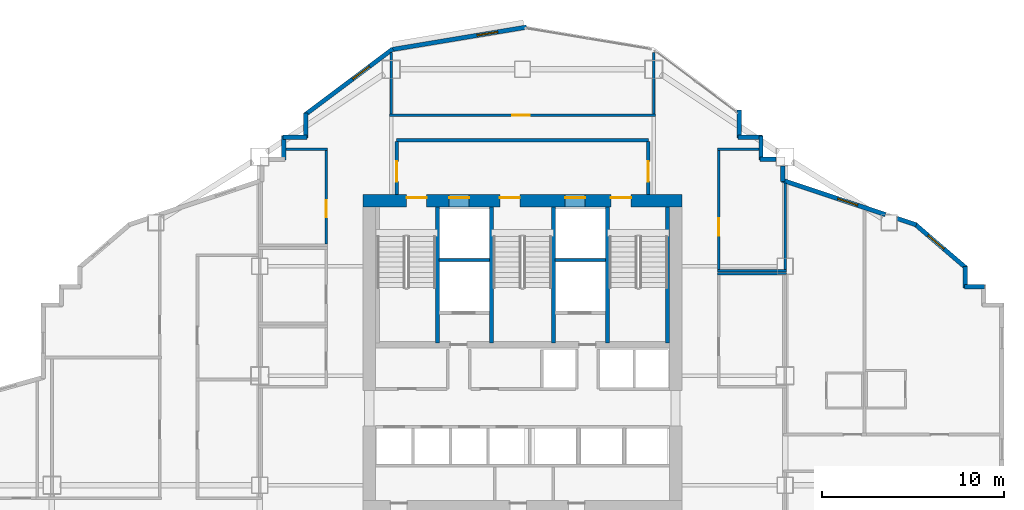
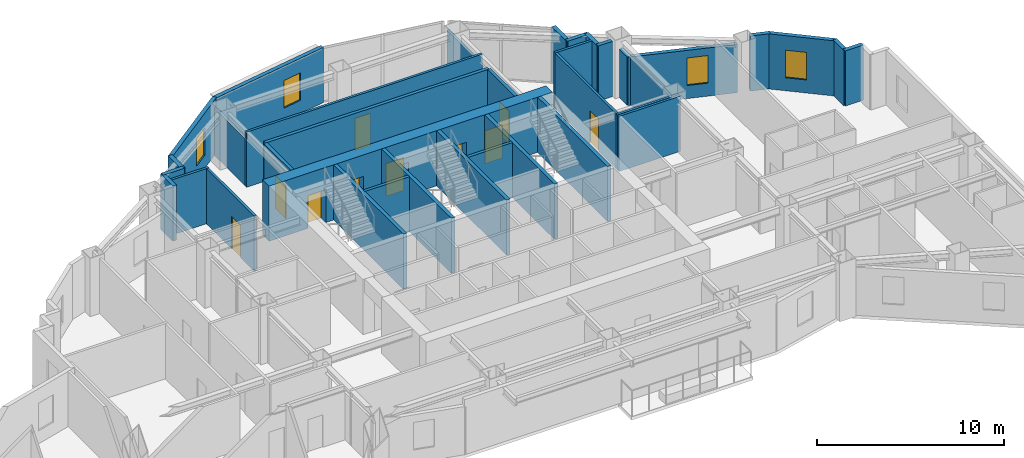
# One storey, part 11 of 14: 36 walls, 10 doors, 4 windows, 14 openings.
"""IFC4 building model written with IfcOpenShell, lengths in metres."""

from ifc_helpers import new_model, si_unit, direction, frame, frame_2d, origin, place, context, subcontext, project, spatial, rectangle, extrude, material, layer, layer_set, type_object, element, fill, save


model = new_model("IFC4")

# Units and contexts
model_context = context("Model", 3, precision=1e-05, world=origin(), true_north=direction((0.0, 1.0)))
body_context = subcontext(model_context, "Body", "Model", "MODEL_VIEW")
ifc_project = project(units=[si_unit("LENGTHUNIT", "METRE"), si_unit("AREAUNIT", "SQUARE_METRE"), si_unit("VOLUMEUNIT", "CUBIC_METRE"), si_unit("PLANEANGLEUNIT", "RADIAN"), si_unit("MASSUNIT", "GRAM", prefix="KILO")], contexts=[model_context])

# Site, building, storey
site_placement = place(None, origin())
site = spatial("IfcSite", under=ifc_project, at=site_placement, CompositionType="ELEMENT")
building_placement = place(site_placement, origin())
building = spatial("IfcBuilding", under=site, at=building_placement, Name="Haolan Belvedere Tower", CompositionType="ELEMENT")
storey_placement = place(building_placement, frame((0.0, 0.0, 141.0)))
storey = spatial("IfcBuildingStorey", under=building, at=storey_placement, Name="L35", CompositionType="ELEMENT", Elevation=141.0)

# Wall, openings, doors
ifc_material_1 = material(Name="Concrete C60/75", Category="concrete")
ifc_layer_1 = layer(ifc_material_1, 0.699951171875, Name="Concrete C60/75")
ifc_layer_set_1 = layer_set([ifc_layer_1], Name="Concrete C60/75")
wall_type_1 = type_object("IfcWallType", Name="WL-CORE-700", PredefinedType="SHEAR", material=ifc_layer_set_1)
wall_1_placement = place(storey_placement, frame((29.64990234375, 43.199951171875, 0.0), z_axis=(0.0, 0.0, 1.0), x_axis=(1.0, 0.0, 0.0)))
wall_1 = element("IfcWall", 1, at=wall_1_placement, inside=storey, type_object=wall_type_1, Name="L35 central core north shear wall", PredefinedType="SHEAR", context=body_context, shape_type="SweptSolid", body=[
    extrude(rectangle(XDim=17.5, YDim=0.699951171875, at=frame_2d((8.75, 0.0))), origin(), (0.0, 0.0, 1.0), 3.60009765625),
])
opening_1_placement = place(wall_1_placement, frame((2.39990234375, 0.0, 0.0)))
opening_1 = element("IfcOpeningElement", 2, at=opening_1_placement, cuts=wall_1, Name="Opening FD-03", PredefinedType="OPENING", context=body_context, shape_type="SweptSolid", body=[
    extrude(rectangle(XDim=1.10009765625, YDim=2.14990234375, at=frame_2d((0.550048828125, 1.074951171875))), frame((0.0, 0.35986328125, 0.0), z_axis=(0.0, -1.0, 0.0), x_axis=(1.0, 0.0, 0.0)), (0.0, 0.0, 1.0), 0.719970703125),
])
opening_2_placement = place(wall_1_placement, frame((7.510009765625, 0.0, 0.0)))
opening_2 = element("IfcOpeningElement", 3, at=opening_2_placement, cuts=wall_1, Name="Opening FD-03", PredefinedType="OPENING", context=body_context, shape_type="SweptSolid", body=[
    extrude(rectangle(XDim=1.10009765625, YDim=2.14990234375, at=frame_2d((0.550048828125, 1.074951171875))), frame((0.0, 0.35986328125, 0.0), z_axis=(0.0, -1.0, 0.0), x_axis=(1.0, 0.0, 0.0)), (0.0, 0.0, 1.0), 0.719970703125),
])
opening_3_placement = place(wall_1_placement, frame((13.60009765625, 0.0, 0.0)))
opening_3 = element("IfcOpeningElement", 4, at=opening_3_placement, cuts=wall_1, Name="Opening FD-03", PredefinedType="OPENING", context=body_context, shape_type="SweptSolid", body=[
    extrude(rectangle(XDim=1.10009765625, YDim=2.14990234375, at=frame_2d((0.550048828125, 1.074951171875))), frame((0.0, 0.35986328125, 0.0), z_axis=(0.0, -1.0, 0.0), x_axis=(1.0, 0.0, 0.0)), (0.0, 0.0, 1.0), 0.719970703125),
])
opening_4_placement = place(wall_1_placement, frame((4.72998046875, 0.0, 0.0)))
opening_4 = element("IfcOpeningElement", 5, at=opening_4_placement, cuts=wall_1, Name="Opening LD-01", PredefinedType="OPENING", context=body_context, shape_type="SweptSolid", body=[
    extrude(rectangle(XDim=1.10009765625, YDim=2.199951171875, at=frame_2d((0.550048828125, 1.10009765625))), frame((0.0, 0.35986328125, 0.0), z_axis=(0.0, -1.0, 0.0), x_axis=(1.0, 0.0, 0.0)), (0.0, 0.0, 1.0), 0.719970703125),
])
opening_5_placement = place(wall_1_placement, frame((11.090087890625, 0.0, 0.0)))
opening_5 = element("IfcOpeningElement", 6, at=opening_5_placement, cuts=wall_1, Name="Opening LD-01", PredefinedType="OPENING", context=body_context, shape_type="SweptSolid", body=[
    extrude(rectangle(XDim=1.10009765625, YDim=2.199951171875, at=frame_2d((0.550048828125, 1.10009765625))), frame((0.0, 0.35986328125, 0.0), z_axis=(0.0, -1.0, 0.0), x_axis=(1.0, 0.0, 0.0)), (0.0, 0.0, 1.0), 0.719970703125),
])
ifc_material_2 = material(Name="Galvanised fire-rated steel", Category="steel")
door_type_1 = type_object("IfcDoorType", Name="DR-FD90-1100", OperationType="NOTDEFINED", PredefinedType="DOOR", material=ifc_material_2)
door_1_placement = place(opening_1_placement, origin())
door_1 = element("IfcDoor", 7, at=door_1_placement, inside=storey, type_object=door_type_1, Name="L35 door CD-L35-ST1", OperationType="SINGLE_SWING_LEFT", OverallHeight=2.14990234375, OverallWidth=1.10009765625, PredefinedType="DOOR", context=body_context, shape_type="SweptSolid", body=[
    extrude(rectangle(XDim=1.10009765625, YDim=2.14990234375, at=frame_2d((0.550048828125, 1.074951171875))), frame((0.0, 0.18505859375, 0.0), z_axis=(0.0, -1.0, 0.0), x_axis=(1.0, 0.0, 0.0)), (0.0, 0.0, 1.0), 0.050048828125),
])
fill(opening_1, door_1)
door_2_placement = place(opening_2_placement, origin())
door_2 = element("IfcDoor", 8, at=door_2_placement, inside=storey, type_object=door_type_1, Name="L35 door CD-L35-ST3", OperationType="SINGLE_SWING_LEFT", OverallHeight=2.14990234375, OverallWidth=1.10009765625, PredefinedType="DOOR", context=body_context, shape_type="SweptSolid", body=[
    extrude(rectangle(XDim=1.10009765625, YDim=2.14990234375, at=frame_2d((0.550048828125, 1.074951171875))), frame((0.0, 0.18505859375, 0.0), z_axis=(0.0, -1.0, 0.0), x_axis=(1.0, 0.0, 0.0)), (0.0, 0.0, 1.0), 0.050048828125),
])
fill(opening_2, door_2)
door_3_placement = place(opening_3_placement, origin())
door_3 = element("IfcDoor", 9, at=door_3_placement, inside=storey, type_object=door_type_1, Name="L35 door CD-L35-ST2", OperationType="SINGLE_SWING_RIGHT", OverallHeight=2.14990234375, OverallWidth=1.10009765625, PredefinedType="DOOR", context=body_context, shape_type="SweptSolid", body=[
    extrude(rectangle(XDim=1.10009765625, YDim=2.14990234375, at=frame_2d((0.550048828125, 1.074951171875))), frame((0.0, 0.18505859375, 0.0), z_axis=(0.0, -1.0, 0.0), x_axis=(1.0, 0.0, 0.0)), (0.0, 0.0, 1.0), 0.050048828125),
])
fill(opening_3, door_3)
ifc_material_3 = material(Name="Brushed champagne stainless steel 316L", Category="steel")
door_type_2 = type_object("IfcDoorType", Name="DR-LIFT-1100", OperationType="SLIDING_TO_LEFT", PredefinedType="DOOR", material=ifc_material_3)
door_4_placement = place(opening_4_placement, origin())
door_4 = element("IfcDoor", 10, at=door_4_placement, inside=storey, type_object=door_type_2, Name="L35 door LD-L35-FF1", OperationType="SLIDING_TO_LEFT", OverallHeight=2.199951171875, OverallWidth=1.10009765625, PredefinedType="DOOR", context=body_context, shape_type="SweptSolid", body=[
    extrude(rectangle(XDim=1.10009765625, YDim=2.199951171875, at=frame_2d((0.550048828125, 1.10009765625))), frame((0.0, 0.18505859375, 0.0), z_axis=(0.0, -1.0, 0.0), x_axis=(1.0, 0.0, 0.0)), (0.0, 0.0, 1.0), 0.050048828125),
])
fill(opening_4, door_4)
door_5_placement = place(opening_5_placement, origin())
door_5 = element("IfcDoor", 11, at=door_5_placement, inside=storey, type_object=door_type_2, Name="L35 door LD-L35-FF2", OperationType="SLIDING_TO_LEFT", OverallHeight=2.199951171875, OverallWidth=1.10009765625, PredefinedType="DOOR", context=body_context, shape_type="SweptSolid", body=[
    extrude(rectangle(XDim=1.10009765625, YDim=2.199951171875, at=frame_2d((0.550048828125, 1.10009765625))), frame((0.0, 0.18505859375, 0.0), z_axis=(0.0, -1.0, 0.0), x_axis=(1.0, 0.0, 0.0)), (0.0, 0.0, 1.0), 0.050048828125),
])
fill(opening_5, door_5)

# Walls
ifc_material_4 = material(Name="Precast concrete C40/50", Category="concrete")
ifc_layer_2 = layer(ifc_material_4, 0.239990234375, Name="Precast concrete C40/50")
ifc_layer_set_2 = layer_set([ifc_layer_2], Name="Precast concrete C40/50")
wall_type_2 = type_object("IfcWallType", Name="WL-EXT-240", PredefinedType="SOLIDWALL", material=ifc_layer_set_2)
wall_2_placement = place(storey_placement, frame((63.735107421875, 38.47998046875, 0.0), z_axis=(0.0, 0.0, 1.0), x_axis=(-1.0, 0.0, 0.0)))
element("IfcWall", 12, at=wall_2_placement, inside=storey, type_object=wall_type_2, Name="L35 pale-metal exterior spandrel wall 17.1", PredefinedType="SOLIDWALL", context=body_context, shape_type="SweptSolid", body=[
    extrude(rectangle(XDim=1.110107421875, YDim=0.239990234375, at=frame_2d((0.55517578125, 0.0))), origin(), (0.0, 0.0, 1.0), 3.60009765625),
])
wall_3_placement = place(storey_placement, frame((62.679931640625, 38.425048828125, 0.0), z_axis=(0.0, 0.0, 1.0), x_axis=(0.0, 1.0, 0.0)))
element("IfcWall", 13, at=wall_3_placement, inside=storey, type_object=wall_type_2, Name="L35 pale-metal exterior spandrel wall 18.1", PredefinedType="SOLIDWALL", context=body_context, shape_type="SweptSolid", body=[
    extrude(rectangle(XDim=1.1748046875, YDim=0.239990234375, at=frame_2d((0.58740234375, 0.0))), origin(), (0.0, 0.0, 1.0), 3.60009765625),
])

# Wall, opening, window
wall_4_placement = place(storey_placement, frame((62.7216796875, 39.509033203125, 0.0), z_axis=(0.0, 0.0, 1.0), x_axis=(-0.759247334792, 0.650802185469, 0.0)))
wall_4 = element("IfcWall", 14, at=wall_4_placement, inside=storey, type_object=wall_type_2, Name="L35 pale-metal exterior spandrel wall 19.1", PredefinedType="SOLIDWALL", context=body_context, shape_type="SweptSolid", body=[
    extrude(rectangle(XDim=3.71923828125, YDim=0.239990234375, at=frame_2d((1.859619140625, 0.0))), origin(), (0.0, 0.0, 1.0), 3.60009765625),
])
opening_6_placement = place(wall_4_placement, frame((1.60009765625, 0.0, 0.85009765625)))
opening_6 = element("IfcOpeningElement", 15, at=opening_6_placement, cuts=wall_4, Name="Opening W-02", PredefinedType="OPENING", context=body_context, shape_type="SweptSolid", body=[
    extrude(rectangle(XDim=1.14990234375, YDim=1.800048828125, at=frame_2d((0.574951171875, 0.89990234375))), frame((0.0, 0.1298828125, 0.0), z_axis=(0.0, -1.0, 0.0), x_axis=(1.0, 0.0, 0.0)), (0.0, 0.0, 1.0), 0.260009765625),
])
ifc_material_5 = material(Name="Anodised aluminium 6063-T6 and Low-E glass", Category="aluminium")
window_type = type_object("IfcWindowType", Name="WN-DECO-Z2", PartitioningType="SINGLE_PANEL", PredefinedType="WINDOW", material=ifc_material_5)
window_1_placement = place(opening_6_placement, origin())
window_1 = element("IfcWindow", 16, at=window_1_placement, inside=storey, type_object=window_type, Name="L35 Art Deco chevron window 1", OverallHeight=1.800048828125, OverallWidth=1.14990234375, PartitioningType="SINGLE_PANEL", PredefinedType="WINDOW", context=body_context, shape_type="SweptSolid", body=[
    extrude(rectangle(XDim=1.14990234375, YDim=1.800048828125, at=frame_2d((0.574951171875, 0.89990234375))), frame((0.0, 0.030029296875, 0.0), z_axis=(0.0, -1.0, 0.0), x_axis=(1.0, 0.0, 0.0)), (0.0, 0.0, 1.0), 0.06005859375),
])
fill(opening_6, window_1)

# Wall
wall_5_placement = place(storey_placement, frame((59.991943359375, 41.876220703125, 0.0), z_axis=(0.0, 0.0, 1.0), x_axis=(-0.948661238983, 0.316293935527, 0.0)))
element("IfcWall", 17, at=wall_5_placement, inside=storey, type_object=wall_type_2, Name="L35 pale-metal exterior spandrel wall 20.1", PredefinedType="SOLIDWALL", context=body_context, shape_type="SweptSolid", body=[
    extrude(rectangle(XDim=1.10693359375, YDim=0.239990234375, at=frame_2d((0.553466796875, 0.0))), origin(), (0.0, 0.0, 1.0), 3.60009765625),
])

# Wall, opening, window
wall_6_placement = place(storey_placement, frame((58.294677734375, 42.44189453125, 0.0), z_axis=(0.0, 0.0, 1.0), x_axis=(-0.948687385027, 0.316215504823, 0.0)))
wall_6 = element("IfcWall", 18, at=wall_6_placement, inside=storey, type_object=wall_type_2, Name="L35 pale-metal exterior spandrel wall 20.2", PredefinedType="SOLIDWALL", context=body_context, shape_type="SweptSolid", body=[
    extrude(rectangle(XDim=5.973388671875, YDim=0.239990234375, at=frame_2d((2.98681640625, 0.0))), origin(), (0.0, 0.0, 1.0), 3.14501953125),
])
opening_7_placement = place(wall_6_placement, frame((1.60009765625, 0.0, 0.85009765625)))
opening_7 = element("IfcOpeningElement", 19, at=opening_7_placement, cuts=wall_6, Name="Opening W-02", PredefinedType="OPENING", context=body_context, shape_type="SweptSolid", body=[
    extrude(rectangle(XDim=1.14990234375, YDim=1.800048828125, at=frame_2d((0.574951171875, 0.89990234375))), frame((0.0, 0.1298828125, 0.0), z_axis=(0.0, -1.0, 0.0), x_axis=(1.0, 0.0, 0.0)), (0.0, 0.0, 1.0), 0.260009765625),
])
window_2_placement = place(opening_7_placement, origin())
window_2 = element("IfcWindow", 20, at=window_2_placement, inside=storey, type_object=window_type, Name="L35 Art Deco chevron window 1", OverallHeight=1.800048828125, OverallWidth=1.14990234375, PartitioningType="SINGLE_PANEL", PredefinedType="WINDOW", context=body_context, shape_type="SweptSolid", body=[
    extrude(rectangle(XDim=1.14990234375, YDim=1.800048828125, at=frame_2d((0.574951171875, 0.89990234375))), frame((0.0, 0.030029296875, 0.0), z_axis=(0.0, -1.0, 0.0), x_axis=(1.0, 0.0, 0.0)), (0.0, 0.0, 1.0), 0.06005859375),
])
fill(opening_7, window_2)

# Walls
wall_7_placement = place(storey_placement, frame((52.679931640625, 44.258544921875, 0.0), z_axis=(0.0, 0.0, 1.0), x_axis=(0.0, 1.0, 0.0)))
element("IfcWall", 21, at=wall_7_placement, inside=storey, type_object=wall_type_2, Name="L35 pale-metal exterior spandrel wall 21.1", PredefinedType="SOLIDWALL", context=body_context, shape_type="SweptSolid", body=[
    extrude(rectangle(XDim=0.849365234375, YDim=0.239990234375, at=frame_2d((0.4248046875, 0.0))), origin(), (0.0, 0.0, 1.0), 3.14501953125),
])
wall_8_placement = place(storey_placement, frame((52.30810546875, 45.47998046875, 0.0), z_axis=(0.0, 0.0, 1.0), x_axis=(-1.0, 0.0, 0.0)))
element("IfcWall", 22, at=wall_8_placement, inside=storey, type_object=wall_type_2, Name="L35 pale-metal exterior spandrel wall 22.1", PredefinedType="SOLIDWALL", context=body_context, shape_type="SweptSolid", body=[
    extrude(rectangle(XDim=0.883056640625, YDim=0.239990234375, at=frame_2d((0.44140625, 0.0))), origin(), (0.0, 0.0, 1.0), 3.60009765625),
])
wall_9_placement = place(storey_placement, frame((51.47998046875, 45.425048828125, 0.0), z_axis=(0.0, 0.0, 1.0), x_axis=(0.0, 1.0, 0.0)))
element("IfcWall", 23, at=wall_9_placement, inside=storey, type_object=wall_type_2, Name="L35 pale-metal exterior spandrel wall 23.1", PredefinedType="SOLIDWALL", context=body_context, shape_type="SweptSolid", body=[
    extrude(rectangle(XDim=1.31005859375, YDim=0.239990234375, at=frame_2d((0.655029296875, 0.0))), origin(), (0.0, 0.0, 1.0), 3.60009765625),
])
wall_10_placement = place(storey_placement, frame((51.534912109375, 46.679931640625, 0.0), z_axis=(0.0, 0.0, 1.0), x_axis=(-1.0, 0.0, 0.0)))
element("IfcWall", 24, at=wall_10_placement, inside=storey, type_object=wall_type_2, Name="L35 pale-metal exterior spandrel wall 24.1", PredefinedType="SOLIDWALL", context=body_context, shape_type="SweptSolid", body=[
    extrude(rectangle(XDim=1.309814453125, YDim=0.239990234375, at=frame_2d((0.65478515625, 0.0))), origin(), (0.0, 0.0, 1.0), 3.60009765625),
])
wall_11_placement = place(storey_placement, frame((50.280029296875, 46.625, 0.0), z_axis=(0.0, 0.0, 1.0), x_axis=(0.0, 1.0, 0.0)))
element("IfcWall", 25, at=wall_11_placement, inside=storey, type_object=wall_type_2, Name="L35 pale-metal exterior spandrel wall 25.1", PredefinedType="SOLIDWALL", context=body_context, shape_type="SweptSolid", body=[
    extrude(rectangle(XDim=1.5400390625, YDim=0.239990234375, at=frame_2d((0.77001953125, 0.0))), origin(), (0.0, 0.0, 1.0), 3.60009765625),
])

# Wall, opening, window
wall_12_placement = place(storey_placement, frame((38.621826171875, 52.71533203125, 0.0), z_axis=(0.0, 0.0, 1.0), x_axis=(-0.98639129485, -0.164414760418, 0.0)))
wall_12 = element("IfcWall", 26, at=wall_12_placement, inside=storey, type_object=wall_type_2, Name="L35 pale-metal exterior spandrel wall 28.1", PredefinedType="SOLIDWALL", context=body_context, shape_type="SweptSolid", body=[
    extrude(rectangle(XDim=7.530029296875, YDim=0.239990234375, at=frame_2d((3.76513671875, 0.0))), origin(), (0.0, 0.0, 1.0), 3.60009765625),
])
opening_8_placement = place(wall_12_placement, frame((1.60009765625, 0.0, 0.85009765625)))
opening_8 = element("IfcOpeningElement", 27, at=opening_8_placement, cuts=wall_12, Name="Opening W-02", PredefinedType="OPENING", context=body_context, shape_type="SweptSolid", body=[
    extrude(rectangle(XDim=1.14990234375, YDim=1.800048828125, at=frame_2d((0.574951171875, 0.89990234375))), frame((0.0, 0.1298828125, 0.0), z_axis=(0.0, -1.0, 0.0), x_axis=(1.0, 0.0, 0.0)), (0.0, 0.0, 1.0), 0.260009765625),
])
window_3_placement = place(opening_8_placement, origin())
window_3 = element("IfcWindow", 28, at=window_3_placement, inside=storey, type_object=window_type, Name="L35 Art Deco chevron window 1", OverallHeight=1.800048828125, OverallWidth=1.14990234375, PartitioningType="SINGLE_PANEL", PredefinedType="WINDOW", context=body_context, shape_type="SweptSolid", body=[
    extrude(rectangle(XDim=1.14990234375, YDim=1.800048828125, at=frame_2d((0.574951171875, 0.89990234375))), frame((0.0, 0.030029296875, 0.0), z_axis=(0.0, -1.0, 0.0), x_axis=(1.0, 0.0, 0.0)), (0.0, 0.0, 1.0), 0.06005859375),
])
fill(opening_8, window_3)

wall_13_placement = place(storey_placement, frame((31.29248046875, 51.519287109375, 0.0), z_axis=(0.0, 0.0, 1.0), x_axis=(-0.8, -0.6, 0.0)))
wall_13 = element("IfcWall", 29, at=wall_13_placement, inside=storey, type_object=wall_type_2, Name="L35 pale-metal exterior spandrel wall 29.1", PredefinedType="SOLIDWALL", context=body_context, shape_type="SweptSolid", body=[
    extrude(rectangle(XDim=6.0205078125, YDim=0.239990234375, at=frame_2d((3.01025390625, 0.0))), origin(), (0.0, 0.0, 1.0), 3.60009765625),
])
opening_9_placement = place(wall_13_placement, frame((1.60009765625, 0.0, 0.85009765625)))
opening_9 = element("IfcOpeningElement", 30, at=opening_9_placement, cuts=wall_13, Name="Opening W-02", PredefinedType="OPENING", context=body_context, shape_type="SweptSolid", body=[
    extrude(rectangle(XDim=1.14990234375, YDim=1.800048828125, at=frame_2d((0.574951171875, 0.89990234375))), frame((0.0, 0.1298828125, 0.0), z_axis=(0.0, -1.0, 0.0), x_axis=(1.0, 0.0, 0.0)), (0.0, 0.0, 1.0), 0.260009765625),
])
window_4_placement = place(opening_9_placement, origin())
window_4 = element("IfcWindow", 31, at=window_4_placement, inside=storey, type_object=window_type, Name="L35 Art Deco chevron window 1", OverallHeight=1.800048828125, OverallWidth=1.14990234375, PartitioningType="SINGLE_PANEL", PredefinedType="WINDOW", context=body_context, shape_type="SweptSolid", body=[
    extrude(rectangle(XDim=1.14990234375, YDim=1.800048828125, at=frame_2d((0.574951171875, 0.89990234375))), frame((0.0, 0.030029296875, 0.0), z_axis=(0.0, -1.0, 0.0), x_axis=(1.0, 0.0, 0.0)), (0.0, 0.0, 1.0), 0.06005859375),
])
fill(opening_9, window_4)

# Walls
wall_14_placement = place(storey_placement, frame((26.52001953125, 47.9951171875, 0.0), z_axis=(0.0, 0.0, 1.0), x_axis=(0.0, -1.0, 0.0)))
element("IfcWall", 32, at=wall_14_placement, inside=storey, type_object=wall_type_2, Name="L35 pale-metal exterior spandrel wall 30.1", PredefinedType="SOLIDWALL", context=body_context, shape_type="SweptSolid", body=[
    extrude(rectangle(XDim=1.3701171875, YDim=0.239990234375, at=frame_2d((0.68505859375, 0.0))), origin(), (0.0, 0.0, 1.0), 3.60009765625),
])
for number, where, z_axis, x_axis, name in (
    (33, (26.574951171875, 46.679931640625, 0.0), (0.0, 0.0, 1.0), (-1.0, 0.0, 0.0), "L35 pale-metal exterior spandrel wall 31.1"),
    (34, (25.320068359375, 46.735107421875, 0.0), (0.0, 0.0, 1.0), (0.0, -1.0, 0.0), "L35 pale-metal exterior spandrel wall 32.1"),
):
    element("IfcWall", number, at=place(storey_placement, frame(where, z_axis=z_axis, x_axis=x_axis)), inside=storey, type_object=wall_type_2, Name=name, PredefinedType="SOLIDWALL", context=body_context, shape_type="SweptSolid", body=[
        extrude(rectangle(XDim=1.31005859375, YDim=0.239990234375, at=frame_2d((0.655029296875, 0.0))), origin(), (0.0, 0.0, 1.0), 3.60009765625),
    ])
ifc_material_6 = material(Name="Concrete C40/50", Category="concrete")
ifc_layer_3 = layer(ifc_material_6, 0.199951171875, Name="Concrete C40/50")
ifc_layer_set_3 = layer_set([ifc_layer_3], Name="Concrete C40/50")
wall_type_3 = type_object("IfcWallType", Name="WL-FIRE-200", PredefinedType="SOLIDWALL", material=ifc_layer_set_3)
wall_15_placement = place(storey_placement, frame((31.5, 46.52001953125, 0.0), z_axis=(0.0, 0.0, 1.0), x_axis=(1.0, 0.0, 0.0)))
element("IfcWall", 35, at=wall_15_placement, inside=storey, type_object=wall_type_3, Name="L35 interior partition IW-L35-FFL-N", PredefinedType="SOLIDWALL", context=body_context, shape_type="SweptSolid", body=[
    extrude(rectangle(XDim=13.800048828125, YDim=0.199951171875, at=frame_2d((6.89990234375, 0.0))), origin(), (0.0, 0.0, 1.0), 3.60009765625),
])

# Wall, opening, door
wall_16_placement = place(storey_placement, frame((31.5, 43.550048828125, 0.0), z_axis=(0.0, 0.0, 1.0), x_axis=(0.0, 1.0, 0.0)))
wall_16 = element("IfcWall", 36, at=wall_16_placement, inside=storey, type_object=wall_type_3, Name="L35 interior partition IW-L35-FFL-W", PredefinedType="SOLIDWALL", context=body_context, shape_type="SweptSolid", body=[
    extrude(rectangle(XDim=2.885009765625, YDim=0.199951171875, at=frame_2d((1.4423828125, 0.0))), origin(), (0.0, 0.0, 1.0), 3.60009765625),
])
opening_10_placement = place(wall_16_placement, frame((1.800048828125, 0.0, 0.0), z_axis=(0.0, 0.0, 1.0), x_axis=(-1.0, 0.0, 0.0)))
opening_10 = element("IfcOpeningElement", 37, at=opening_10_placement, cuts=wall_16, Name="Opening FD-03", PredefinedType="OPENING", context=body_context, shape_type="SweptSolid", body=[
    extrude(rectangle(XDim=1.10009765625, YDim=2.14990234375, at=frame_2d((0.550048828125, 1.074951171875))), frame((0.0, 0.10986328125, 0.0), z_axis=(0.0, -1.0, 0.0), x_axis=(1.0, 0.0, 0.0)), (0.0, 0.0, 1.0), 0.219970703125),
])
door_6_placement = place(opening_10_placement, origin())
door_6 = element("IfcDoor", 38, at=door_6_placement, inside=storey, type_object=door_type_1, Name="L35 door ID-L35-FFL-DW", OperationType="SINGLE_SWING_LEFT", OverallHeight=2.14990234375, OverallWidth=1.10009765625, PredefinedType="DOOR", context=body_context, shape_type="SweptSolid", body=[
    extrude(rectangle(XDim=1.10009765625, YDim=2.14990234375, at=frame_2d((0.550048828125, 1.074951171875))), frame((0.0, 0.02490234375, 0.0), z_axis=(0.0, -1.0, 0.0), x_axis=(1.0, 0.0, 0.0)), (0.0, 0.0, 1.0), 0.050048828125),
])
fill(opening_10, door_6)

wall_17_placement = place(storey_placement, frame((45.300048828125, 43.550048828125, 0.0), z_axis=(0.0, 0.0, 1.0), x_axis=(0.0, 1.0, 0.0)))
wall_17 = element("IfcWall", 39, at=wall_17_placement, inside=storey, type_object=wall_type_3, Name="L35 interior partition IW-L35-FFL-E", PredefinedType="SOLIDWALL", context=body_context, shape_type="SweptSolid", body=[
    extrude(rectangle(XDim=2.885009765625, YDim=0.199951171875, at=frame_2d((1.4423828125, 0.0))), origin(), (0.0, 0.0, 1.0), 3.60009765625),
])
opening_11_placement = place(wall_17_placement, frame((0.699951171875, 0.0, 0.0)))
opening_11 = element("IfcOpeningElement", 40, at=opening_11_placement, cuts=wall_17, Name="Opening FD-03", PredefinedType="OPENING", context=body_context, shape_type="SweptSolid", body=[
    extrude(rectangle(XDim=1.10009765625, YDim=2.14990234375, at=frame_2d((0.550048828125, 1.074951171875))), frame((0.0, 0.10986328125, 0.0), z_axis=(0.0, -1.0, 0.0), x_axis=(1.0, 0.0, 0.0)), (0.0, 0.0, 1.0), 0.219970703125),
])
door_7_placement = place(opening_11_placement, origin())
door_7 = element("IfcDoor", 41, at=door_7_placement, inside=storey, type_object=door_type_1, Name="L35 door ID-L35-FFL-DE", OperationType="SINGLE_SWING_RIGHT", OverallHeight=2.14990234375, OverallWidth=1.10009765625, PredefinedType="DOOR", context=body_context, shape_type="SweptSolid", body=[
    extrude(rectangle(XDim=1.10009765625, YDim=2.14990234375, at=frame_2d((0.550048828125, 1.074951171875))), frame((0.0, 0.02490234375, 0.0), z_axis=(0.0, -1.0, 0.0), x_axis=(1.0, 0.0, 0.0)), (0.0, 0.0, 1.0), 0.050048828125),
])
fill(opening_11, door_7)

# Wall
ifc_material_7 = material(Name="Double gypsum acoustic stud partition", Category="masonry")
ifc_layer_4 = layer(ifc_material_7, 0.14990234375, Name="Double gypsum acoustic stud partition")
ifc_layer_set_4 = layer_set([ifc_layer_4], Name="Double gypsum acoustic stud partition")
wall_type_4 = type_object("IfcWallType", Name="WL-PART-150", PredefinedType="PARTITIONING", material=ifc_layer_set_4)
wall_18_placement = place(storey_placement, frame((25.425048828125, 46.02001953125, 0.0), z_axis=(0.0, 0.0, 1.0), x_axis=(1.0, 0.0, 0.0)))
element("IfcWall", 42, at=wall_18_placement, inside=storey, type_object=wall_type_4, Name="L35 interior partition IW-L35-STY-N", PredefinedType="PARTITIONING", context=body_context, shape_type="SweptSolid", body=[
    extrude(rectangle(XDim=2.294921875, YDim=0.14990234375, at=frame_2d((1.1474609375, 0.0))), origin(), (0.0, 0.0, 1.0), 3.60009765625),
])

# Wall, opening, door
wall_19_placement = place(storey_placement, frame((27.639892578125, 40.820068359375, 0.0), z_axis=(0.0, 0.0, 1.0), x_axis=(0.0, 1.0, 0.0)))
wall_19 = element("IfcWall", 43, at=wall_19_placement, inside=storey, type_object=wall_type_4, Name="L35 interior partition IW-L35-STY-E", PredefinedType="PARTITIONING", context=body_context, shape_type="SweptSolid", body=[
    extrude(rectangle(XDim=5.139892578125, YDim=0.14990234375, at=frame_2d((2.56982421875, 0.0))), origin(), (0.0, 0.0, 1.0), 3.60009765625),
])
opening_12_placement = place(wall_19_placement, frame((2.409912109375, 0.0, 0.0), z_axis=(0.0, 0.0, 1.0), x_axis=(-1.0, 0.0, 0.0)))
opening_12 = element("IfcOpeningElement", 44, at=opening_12_placement, cuts=wall_19, Name="Opening ID-03", PredefinedType="OPENING", context=body_context, shape_type="SweptSolid", body=[
    extrude(rectangle(XDim=0.949951171875, YDim=2.1201171875, at=frame_2d((0.47509765625, 1.06005859375))), frame((0.0, 0.0849609375, 0.0), z_axis=(0.0, -1.0, 0.0), x_axis=(1.0, 0.0, 0.0)), (0.0, 0.0, 1.0), 0.169921875),
])
ifc_material_8 = material(Name="Painted solid-core timber", Category="wood")
door_type_3 = type_object("IfcDoorType", Name="DR-INT-950", OperationType="NOTDEFINED", PredefinedType="DOOR", material=ifc_material_8)
door_8_placement = place(opening_12_placement, origin())
door_8 = element("IfcDoor", 45, at=door_8_placement, inside=storey, type_object=door_type_3, Name="L35 door ID-L35-STY", OperationType="SINGLE_SWING_LEFT", OverallHeight=2.1201171875, OverallWidth=0.949951171875, PredefinedType="DOOR", context=body_context, shape_type="SweptSolid", body=[
    extrude(rectangle(XDim=0.949951171875, YDim=2.1201171875, at=frame_2d((0.47509765625, 1.06005859375))), frame((0.0, 0.02490234375, 0.0), z_axis=(0.0, -1.0, 0.0), x_axis=(1.0, 0.0, 0.0)), (0.0, 0.0, 1.0), 0.050048828125),
])
fill(opening_12, door_8)

# Walls
wall_20_placement = place(storey_placement, frame((49.080078125, 39.199951171875, 0.0), z_axis=(0.0, 0.0, 1.0), x_axis=(1.0, 0.0, 0.0)))
element("IfcWall", 46, at=wall_20_placement, inside=storey, type_object=wall_type_4, Name="L35 interior partition IW-L35-HSK-N", PredefinedType="PARTITIONING", context=body_context, shape_type="SweptSolid", body=[
    extrude(rectangle(XDim=3.7998046875, YDim=0.14990234375, at=frame_2d((1.89990234375, 0.0))), origin(), (0.0, 0.0, 1.0), 3.60009765625),
])
wall_21_placement = place(storey_placement, frame((49.080078125, 46.02001953125, 0.0), z_axis=(0.0, 0.0, 1.0), x_axis=(1.0, 0.0, 0.0)))
element("IfcWall", 47, at=wall_21_placement, inside=storey, type_object=wall_type_4, Name="L35 interior partition IW-L35-MTG-N", PredefinedType="PARTITIONING", context=body_context, shape_type="SweptSolid", body=[
    extrude(rectangle(XDim=2.294921875, YDim=0.14990234375, at=frame_2d((1.1474609375, 0.0))), origin(), (0.0, 0.0, 1.0), 3.60009765625),
])
wall_22_placement = place(storey_placement, frame((49.080078125, 39.360107421875, 0.0), z_axis=(0.0, 0.0, 1.0), x_axis=(1.0, 0.0, 0.0)))
element("IfcWall", 48, at=wall_22_placement, inside=storey, type_object=wall_type_4, Name="L35 interior partition IW-L35-MTG-S", PredefinedType="PARTITIONING", context=body_context, shape_type="SweptSolid", body=[
    extrude(rectangle(XDim=3.7998046875, YDim=0.14990234375, at=frame_2d((1.89990234375, 0.0))), origin(), (0.0, 0.0, 1.0), 3.60009765625),
])

# Wall, opening, door
wall_23_placement = place(storey_placement, frame((49.159912109375, 39.419921875, 0.0), z_axis=(0.0, 0.0, 1.0), x_axis=(0.0, 1.0, 0.0)))
wall_23 = element("IfcWall", 49, at=wall_23_placement, inside=storey, type_object=wall_type_4, Name="L35 interior partition IW-L35-MTG-W", PredefinedType="PARTITIONING", context=body_context, shape_type="SweptSolid", body=[
    extrude(rectangle(XDim=6.5400390625, YDim=0.14990234375, at=frame_2d((3.27001953125, 0.0))), origin(), (0.0, 0.0, 1.0), 3.60009765625),
])
opening_13_placement = place(wall_23_placement, frame((1.860107421875, 0.0, 0.0)))
opening_13 = element("IfcOpeningElement", 50, at=opening_13_placement, cuts=wall_23, Name="Opening ID-03", PredefinedType="OPENING", context=body_context, shape_type="SweptSolid", body=[
    extrude(rectangle(XDim=0.949951171875, YDim=2.1201171875, at=frame_2d((0.47509765625, 1.06005859375))), frame((0.0, 0.0849609375, 0.0), z_axis=(0.0, -1.0, 0.0), x_axis=(1.0, 0.0, 0.0)), (0.0, 0.0, 1.0), 0.169921875),
])
door_9_placement = place(opening_13_placement, origin())
door_9 = element("IfcDoor", 51, at=door_9_placement, inside=storey, type_object=door_type_3, Name="L35 door ID-L35-MTG", OperationType="SINGLE_SWING_LEFT", OverallHeight=2.1201171875, OverallWidth=0.949951171875, PredefinedType="DOOR", context=body_context, shape_type="SweptSolid", body=[
    extrude(rectangle(XDim=0.949951171875, YDim=2.1201171875, at=frame_2d((0.47509765625, 1.06005859375))), frame((0.0, 0.02490234375, 0.0), z_axis=(0.0, -1.0, 0.0), x_axis=(1.0, 0.0, 0.0)), (0.0, 0.0, 1.0), 0.050048828125),
])
fill(opening_13, door_9)

# Wall
wall_24_placement = place(storey_placement, frame((52.800048828125, 39.419921875, 0.0), z_axis=(0.0, 0.0, 1.0), x_axis=(0.0, 1.0, 0.0)))
element("IfcWall", 52, at=wall_24_placement, inside=storey, type_object=wall_type_4, Name="L35 interior partition IW-L35-MTG-E", PredefinedType="PARTITIONING", context=body_context, shape_type="SweptSolid", body=[
    extrude(rectangle(XDim=4.742919921875, YDim=0.14990234375, at=frame_2d((2.37158203125, 0.0))), origin(), (0.0, 0.0, 1.0), 3.14501953125),
])

# Wall, opening, door
wall_25_placement = place(storey_placement, frame((31.1201171875, 47.8798828125, 0.0), z_axis=(0.0, 0.0, 1.0), x_axis=(1.0, 0.0, 0.0)))
wall_25 = element("IfcWall", 53, at=wall_25_placement, inside=storey, type_object=wall_type_4, Name="L35 interior partition IW-L35-KN2-S", PredefinedType="PARTITIONING", context=body_context, shape_type="SweptSolid", body=[
    extrude(rectangle(XDim=14.559814453125, YDim=0.14990234375, at=frame_2d((7.27978515625, 0.0))), origin(), (0.0, 0.0, 1.0), 3.60009765625),
])
opening_14_placement = place(wall_25_placement, frame((6.72509765625, 0.0, 0.0)))
opening_14 = element("IfcOpeningElement", 54, at=opening_14_placement, cuts=wall_25, Name="Opening ID-03", PredefinedType="OPENING", context=body_context, shape_type="SweptSolid", body=[
    extrude(rectangle(XDim=0.949951171875, YDim=2.1201171875, at=frame_2d((0.47509765625, 1.06005859375))), frame((0.0, 0.0849609375, 0.0), z_axis=(0.0, -1.0, 0.0), x_axis=(1.0, 0.0, 0.0)), (0.0, 0.0, 1.0), 0.169921875),
])
door_10_placement = place(opening_14_placement, origin())
door_10 = element("IfcDoor", 55, at=door_10_placement, inside=storey, type_object=door_type_3, Name="L35 door ID-L35-KN2", OperationType="SINGLE_SWING_LEFT", OverallHeight=2.1201171875, OverallWidth=0.949951171875, PredefinedType="DOOR", context=body_context, shape_type="SweptSolid", body=[
    extrude(rectangle(XDim=0.949951171875, YDim=2.1201171875, at=frame_2d((0.47509765625, 1.06005859375))), frame((0.0, 0.02490234375, 0.0), z_axis=(0.0, -1.0, 0.0), x_axis=(1.0, 0.0, 0.0)), (0.0, 0.0, 1.0), 0.050048828125),
])
fill(opening_14, door_10)

# Walls
wall_26_placement = place(storey_placement, frame((31.199951171875, 47.93994140625, 0.0), z_axis=(0.0, 0.0, 1.0), x_axis=(0.0, 1.0, 0.0)))
element("IfcWall", 56, at=wall_26_placement, inside=storey, type_object=wall_type_4, Name="L35 interior partition IW-L35-KN2-W", PredefinedType="PARTITIONING", context=body_context, shape_type="SweptSolid", body=[
    extrude(rectangle(XDim=3.378662109375, YDim=0.14990234375, at=frame_2d((1.689453125, 0.0))), origin(), (0.0, 0.0, 1.0), 3.0849609375),
])
wall_27_placement = place(storey_placement, frame((45.60009765625, 47.93994140625, 0.0), z_axis=(0.0, 0.0, 1.0), x_axis=(0.0, 1.0, 0.0)))
element("IfcWall", 57, at=wall_27_placement, inside=storey, type_object=wall_type_4, Name="L35 interior partition IW-L35-KN2-E", PredefinedType="PARTITIONING", context=body_context, shape_type="SweptSolid", body=[
    extrude(rectangle(XDim=3.39501953125, YDim=0.14990234375, at=frame_2d((1.697509765625, 0.0))), origin(), (0.0, 0.0, 1.0), 3.0849609375),
])
ifc_layer_5 = layer(ifc_material_4, 0.179931640625, Name="Precast concrete C40/50")
ifc_layer_set_5 = layer_set([ifc_layer_5], Name="Precast concrete C40/50")
wall_type_5 = type_object("IfcWallType", Name="WL-SHAFT-180", PredefinedType="SOLIDWALL", material=ifc_layer_set_5)
for number, where, z_axis, x_axis, name in (
    (58, (33.8349609375, 39.949951171875, 0.0), (0.0, 0.0, 1.0), (1.0, 0.0, 0.0), "L35 interior partition IW-L35-FF1-S"),
    (59, (40.195068359375, 39.949951171875, 0.0), (0.0, 0.0, 1.0), (1.0, 0.0, 0.0), "L35 interior partition IW-L35-FF2-S"),
):
    element("IfcWall", number, at=place(storey_placement, frame(where, z_axis=z_axis, x_axis=x_axis)), inside=storey, type_object=wall_type_5, Name=name, PredefinedType="SOLIDWALL", context=body_context, shape_type="SweptSolid", body=[
        extrude(rectangle(XDim=2.77001953125, YDim=0.179931640625, at=frame_2d((1.385009765625, 0.0))), origin(), (0.0, 0.0, 1.0), 3.60009765625),
    ])
ifc_material_9 = material(Name="Concrete C50/60", Category="concrete")
ifc_layer_6 = layer(ifc_material_9, 0.219970703125, Name="Concrete C50/60")
ifc_layer_set_6 = layer_set([ifc_layer_6], Name="Concrete C50/60")
wall_type_6 = type_object("IfcWallType", Name="WL-STAIR-220", PredefinedType="SHEAR", material=ifc_layer_set_6)
for number, where, z_axis, x_axis, name in (
    (60, (33.739990234375, 35.389892578125, 0.0), (0.0, 0.0, 1.0), (0.0, 1.0, 0.0), "L35 structural stair core wall ST1E"),
    (61, (36.699951171875, 35.389892578125, 0.0), (0.0, 0.0, 1.0), (0.0, 1.0, 0.0), "L35 structural stair core wall ST3W"),
    (62, (40.10009765625, 35.389892578125, 0.0), (0.0, 0.0, 1.0), (0.0, 1.0, 0.0), "L35 structural stair core wall ST3E"),
    (63, (43.06005859375, 35.389892578125, 0.0), (0.0, 0.0, 1.0), (0.0, 1.0, 0.0), "L35 structural stair core wall ST2W"),
    (64, (46.337890625, 35.389892578125, 0.0), (0.0, 0.0, 1.0), (0.0, 1.0, 0.0), "L35 structural stair core wall ST2E"),
):
    element("IfcWall", number, at=place(storey_placement, frame(where, z_axis=z_axis, x_axis=x_axis)), inside=storey, type_object=wall_type_6, Name=name, PredefinedType="SHEAR", context=body_context, shape_type="SweptSolid", body=[
        extrude(rectangle(XDim=7.460205078125, YDim=0.219970703125, at=frame_2d((3.72998046875, 0.0))), origin(), (0.0, 0.0, 1.0), 3.60009765625),
    ])

save(model, "model.ifc")
